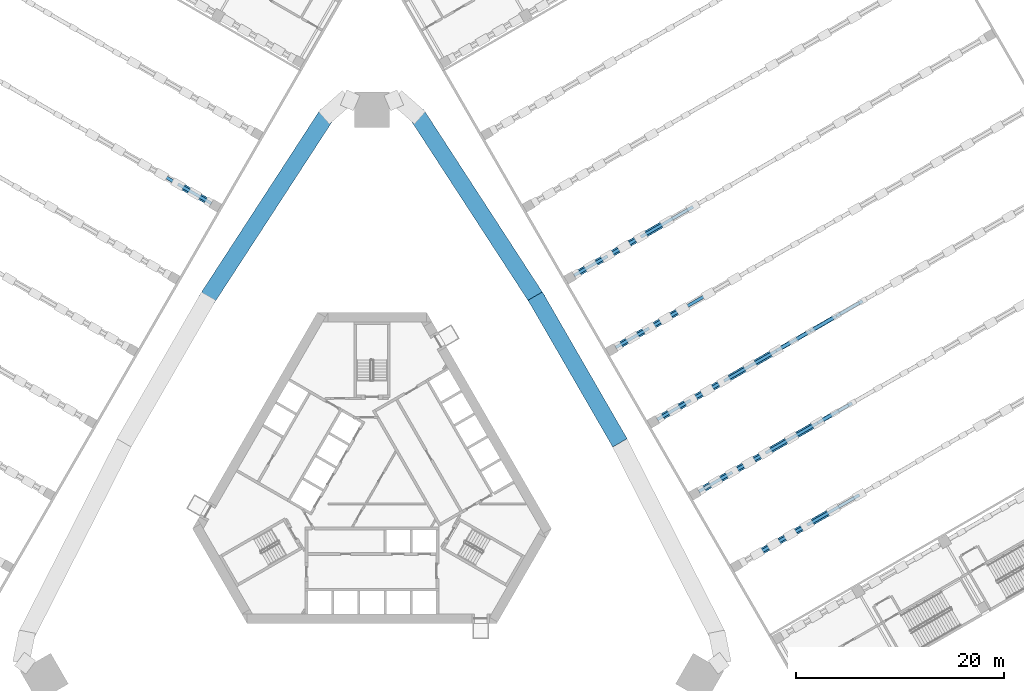
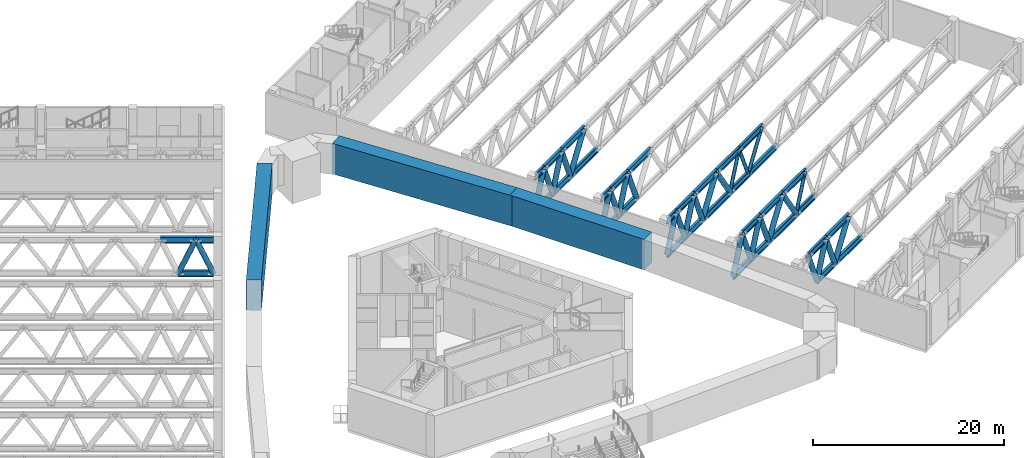
# One storey, part 5 of 37: 66 members, 3 beams.
"""IFC4 building model written with IfcOpenShell, lengths in metres."""

from ifc_helpers import new_model, si_unit, direction, frame, origin, origin_2d, place, context, subcontext, project, spatial, rectangle, hollow_circle, i_section, extrude, material, material_profile, profile_set, type_object, element, save


model = new_model("IFC4")

# Units and contexts
model_context = context("Model", 3, precision=1e-05, world=origin(), true_north=direction((0.0, 1.0)))
body_context = subcontext(model_context, "Body", "Model", "MODEL_VIEW")
ifc_project = project(units=[si_unit("LENGTHUNIT", "METRE"), si_unit("AREAUNIT", "SQUARE_METRE"), si_unit("VOLUMEUNIT", "CUBIC_METRE"), si_unit("PLANEANGLEUNIT", "RADIAN"), si_unit("MASSUNIT", "GRAM", prefix="KILO")], contexts=[model_context])

# Site, building, storey
site_placement = place(None, origin())
site = spatial("IfcSite", under=ifc_project, at=site_placement, CompositionType="ELEMENT")
building_placement = place(site_placement, origin())
building = spatial("IfcBuilding", under=site, at=building_placement, Name="Mestral Congress Tower", CompositionType="ELEMENT")
storey_placement = place(building_placement, frame((0.0, 0.0, 16.199951171875)))
storey = spatial("IfcBuildingStorey", under=building, at=storey_placement, Name="L03", CompositionType="ELEMENT", Elevation=16.199951171875)

# Beams
ifc_material_1 = material(Name="Concrete C70/85", Category="concrete")
ifc_material_profile_1 = material_profile(ifc_material_1, rectangle(XDim=1.60009765625, YDim=3.89990234375, at=origin_2d()), Name="RC 1600x3900")
ifc_profile_set_1 = profile_set([ifc_material_profile_1], Name="Concrete C70/85")
beam_type = type_object("IfcBeamType", Name="Transfer girder RC 1600x3900 C70/85", PredefinedType="BEAM", material=ifc_profile_set_1)
beam_placement = place(storey_placement, frame((23.852783203125, 4.361328125, 3.449951171875), z_axis=(-0.499987831329, 0.866032429256, 0.0), x_axis=(-0.866032429256, -0.499987831329, 0.0)))
element("IfcBeam", 1, at=beam_placement, inside=storey, type_object=beam_type, Name="BM-TG05", PredefinedType="BEAM", context=body_context, shape_type="SweptSolid", body=[
    extrude(rectangle(XDim=1.60009765625, YDim=3.89990234375, at=origin_2d()), origin(), (0.0, 0.0, 1.0), 16.298828125),
])
for number, where, z_axis, x_axis, name in (
    (2, (15.96484375, 18.05029296875, 3.449951171875), (-0.545174428031, 0.838322636591, 0.0), (-0.838322636591, -0.545174428031, 0.0), "BM-TG06"),
    (3, (-4.2998046875, 35.98779296875, 3.449951171875), (-0.545174428031, -0.838322636591, 0.0), (0.838322636591, -0.545174428031, 0.0), "BM-TG07"),
):
    element("IfcBeam", number, at=place(storey_placement, frame(where, z_axis=z_axis, x_axis=x_axis)), inside=storey, type_object=beam_type, Name=name, PredefinedType="BEAM", context=body_context, shape_type="SweptSolid", body=[
        extrude(rectangle(XDim=1.60009765625, YDim=3.89990234375, at=origin_2d()), origin(), (0.0, 0.0, 1.0), 21.39697265625),
    ])

# Members
ifc_material_2 = material(Name="Steel S355", Category="steel")
ifc_material_profile_2 = material_profile(ifc_material_2, i_section(OverallWidth=0.300048828125, OverallDepth=0.800048828125, WebThickness=0.017578125, FlangeThickness=0.032958984375, FilletRadius=0.030029296875, at=origin_2d()), Name="HEB 800")
ifc_profile_set_2 = profile_set([ifc_material_profile_2], Name="Steel S355")
member_type_1 = type_object("IfcMemberType", Name="Truss chord HEB 800 S355", PredefinedType="CHORD", material=ifc_profile_set_2)
member_1_placement = place(storey_placement, frame((38.654541015625, -5.3955078125, 0.400146484375), z_axis=(0.866046040199, 0.499964254978, 0.0), x_axis=(-0.499964254978, 0.866046040199, 0.0)))
element("IfcMember", 4, at=member_1_placement, inside=storey, type_object=member_type_1, Name="MB-E-T2-BC02", PredefinedType="CHORD", context=body_context, shape_type="SweptSolid", body=[
    extrude(i_section(OverallWidth=0.300048828125, OverallDepth=0.800048828125, WebThickness=0.017578125, FlangeThickness=0.032958984375, FilletRadius=0.030029296875, at=origin_2d()), origin(), (0.0, 0.0, 1.0), 3.699951171875),
])
member_2_placement = place(storey_placement, frame((41.85888671875, -3.545654296875, 0.400146484375), z_axis=(0.86601454848, 0.500018801468, 0.0), x_axis=(-0.500018801468, 0.86601454848, 0.0)))
element("IfcMember", 5, at=member_2_placement, inside=storey, type_object=member_type_1, Name="MB-E-T2-BC03", PredefinedType="CHORD", context=body_context, shape_type="SweptSolid", body=[
    extrude(i_section(OverallWidth=0.300048828125, OverallDepth=0.800048828125, WebThickness=0.017578125, FlangeThickness=0.032958984375, FilletRadius=0.030029296875, at=origin_2d()), origin(), (0.0, 0.0, 1.0), 5.800048828125),
])
member_3_placement = place(storey_placement, frame((37.052490234375, -6.320556640625, 4.699951171875), z_axis=(0.866029545028, 0.499992827086, 0.0), x_axis=(-0.499992827086, 0.866029545028, 0.0)))
element("IfcMember", 6, at=member_3_placement, inside=storey, type_object=member_type_1, Name="MB-E-T2-TC02", PredefinedType="CHORD", context=body_context, shape_type="SweptSolid", body=[
    extrude(i_section(OverallWidth=0.300048828125, OverallDepth=0.800048828125, WebThickness=0.017578125, FlangeThickness=0.032958984375, FilletRadius=0.030029296875, at=origin_2d()), origin(), (0.0, 0.0, 1.0), 3.69970703125),
])
member_4_placement = place(storey_placement, frame((40.256591796875, -4.470703125, 4.699951171875), z_axis=(0.866033238375, 0.499986429846, 0.0), x_axis=(-0.499986429846, 0.866033238375, 0.0)))
element("IfcMember", 7, at=member_4_placement, inside=storey, type_object=member_type_1, Name="MB-E-T2-TC03", PredefinedType="CHORD", context=body_context, shape_type="SweptSolid", body=[
    extrude(i_section(OverallWidth=0.300048828125, OverallDepth=0.800048828125, WebThickness=0.017578125, FlangeThickness=0.032958984375, FilletRadius=0.030029296875, at=origin_2d()), origin(), (0.0, 0.0, 1.0), 4.750244140625),
])
member_5_placement = place(storey_placement, frame((31.4501953125, -0.3173828125, 0.400146484375), z_axis=(0.86601746898, 0.500013743233, 0.0), x_axis=(-0.500013743233, 0.86601746898, 0.0)))
element("IfcMember", 8, at=member_5_placement, inside=storey, type_object=member_type_1, Name="MB-E-T3-BC01", PredefinedType="CHORD", context=body_context, shape_type="SweptSolid", body=[
    extrude(i_section(OverallWidth=0.300048828125, OverallDepth=0.800048828125, WebThickness=0.017578125, FlangeThickness=0.032958984375, FilletRadius=0.030029296875, at=origin_2d()), origin(), (0.0, 0.0, 1.0), 3.7001953125),
])
member_6_placement = place(storey_placement, frame((34.654541015625, 1.53271484375, 0.400146484375), z_axis=(0.866046040199, 0.499964254978, 0.0), x_axis=(-0.499964254978, 0.866046040199, 0.0)))
element("IfcMember", 9, at=member_6_placement, inside=storey, type_object=member_type_1, Name="MB-E-T3-BC02", PredefinedType="CHORD", context=body_context, shape_type="SweptSolid", body=[
    extrude(i_section(OverallWidth=0.300048828125, OverallDepth=0.800048828125, WebThickness=0.017578125, FlangeThickness=0.032958984375, FilletRadius=0.030029296875, at=origin_2d()), origin(), (0.0, 0.0, 1.0), 3.699951171875),
])
member_7_placement = place(storey_placement, frame((37.85888671875, 3.382568359375, 0.400146484375), z_axis=(0.86601454848, 0.500018801468, 0.0), x_axis=(-0.500018801468, 0.86601454848, 0.0)))
element("IfcMember", 10, at=member_7_placement, inside=storey, type_object=member_type_1, Name="MB-E-T3-BC03", PredefinedType="CHORD", context=body_context, shape_type="SweptSolid", body=[
    extrude(i_section(OverallWidth=0.300048828125, OverallDepth=0.800048828125, WebThickness=0.017578125, FlangeThickness=0.032958984375, FilletRadius=0.030029296875, at=origin_2d()), origin(), (0.0, 0.0, 1.0), 5.800048828125),
])
member_8_placement = place(storey_placement, frame((42.8818359375, 6.28271484375, 0.400146484375), z_axis=(0.866028304915, 0.499994975061, 0.0), x_axis=(-0.499994975061, 0.866028304915, 0.0)))
element("IfcMember", 11, at=member_8_placement, inside=storey, type_object=member_type_1, Name="MB-E-T3-BC04", PredefinedType="CHORD", context=body_context, shape_type="SweptSolid", body=[
    extrude(i_section(OverallWidth=0.300048828125, OverallDepth=0.800048828125, WebThickness=0.017578125, FlangeThickness=0.032958984375, FilletRadius=0.030029296875, at=origin_2d()), origin(), (0.0, 0.0, 1.0), 3.7998046875),
])
member_9_placement = place(storey_placement, frame((33.052490234375, 0.607666015625, 4.699951171875), z_axis=(0.866029545028, 0.499992827086, 0.0), x_axis=(-0.499992827086, 0.866029545028, 0.0)))
element("IfcMember", 12, at=member_9_placement, inside=storey, type_object=member_type_1, Name="MB-E-T3-TC02", PredefinedType="CHORD", context=body_context, shape_type="SweptSolid", body=[
    extrude(i_section(OverallWidth=0.300048828125, OverallDepth=0.800048828125, WebThickness=0.017578125, FlangeThickness=0.032958984375, FilletRadius=0.030029296875, at=origin_2d()), origin(), (0.0, 0.0, 1.0), 3.69970703125),
])
member_10_placement = place(storey_placement, frame((36.256591796875, 2.45751953125, 4.699951171875), z_axis=(0.866033238375, 0.499986429846, 0.0), x_axis=(-0.499986429846, 0.866033238375, 0.0)))
element("IfcMember", 13, at=member_10_placement, inside=storey, type_object=member_type_1, Name="MB-E-T3-TC03", PredefinedType="CHORD", context=body_context, shape_type="SweptSolid", body=[
    extrude(i_section(OverallWidth=0.300048828125, OverallDepth=0.800048828125, WebThickness=0.017578125, FlangeThickness=0.032958984375, FilletRadius=0.030029296875, at=origin_2d()), origin(), (0.0, 0.0, 1.0), 4.750244140625),
])
member_11_placement = place(storey_placement, frame((40.370361328125, 4.83251953125, 4.699951171875), z_axis=(0.866002622515, 0.50003945624, 0.0), x_axis=(-0.50003945624, 0.866002622515, 0.0)))
element("IfcMember", 14, at=member_11_placement, inside=storey, type_object=member_type_1, Name="MB-E-T3-TC04", PredefinedType="CHORD", context=body_context, shape_type="SweptSolid", body=[
    extrude(i_section(OverallWidth=0.300048828125, OverallDepth=0.800048828125, WebThickness=0.017578125, FlangeThickness=0.032958984375, FilletRadius=0.030029296875, at=origin_2d()), origin(), (0.0, 0.0, 1.0), 4.7998046875),
])
member_12_placement = place(storey_placement, frame((27.4501953125, 6.61083984375, 0.400146484375), z_axis=(0.866046040199, 0.499964254978, 0.0), x_axis=(-0.499964254978, 0.866046040199, 0.0)))
element("IfcMember", 15, at=member_12_placement, inside=storey, type_object=member_type_1, Name="MB-E-T4-BC01", PredefinedType="CHORD", context=body_context, shape_type="SweptSolid", body=[
    extrude(i_section(OverallWidth=0.300048828125, OverallDepth=0.800048828125, WebThickness=0.017578125, FlangeThickness=0.032958984375, FilletRadius=0.030029296875, at=origin_2d()), origin(), (0.0, 0.0, 1.0), 3.699951171875),
])
member_13_placement = place(storey_placement, frame((30.654541015625, 8.460693359375, 0.400146484375), z_axis=(0.86601746898, 0.500013743233, 0.0), x_axis=(-0.500013743233, 0.86601746898, 0.0)))
element("IfcMember", 16, at=member_13_placement, inside=storey, type_object=member_type_1, Name="MB-E-T4-BC02", PredefinedType="CHORD", context=body_context, shape_type="SweptSolid", body=[
    extrude(i_section(OverallWidth=0.300048828125, OverallDepth=0.800048828125, WebThickness=0.017578125, FlangeThickness=0.032958984375, FilletRadius=0.030029296875, at=origin_2d()), origin(), (0.0, 0.0, 1.0), 3.7001953125),
])
member_14_placement = place(storey_placement, frame((33.85888671875, 10.310791015625, 0.400146484375), z_axis=(0.866032775405, 0.499987231761, 0.0), x_axis=(-0.499987231761, 0.866032775405, 0.0)))
element("IfcMember", 17, at=member_14_placement, inside=storey, type_object=member_type_1, Name="MB-E-T4-BC03", PredefinedType="CHORD", context=body_context, shape_type="SweptSolid", body=[
    extrude(i_section(OverallWidth=0.300048828125, OverallDepth=0.800048828125, WebThickness=0.017578125, FlangeThickness=0.032958984375, FilletRadius=0.030029296875, at=origin_2d()), origin(), (0.0, 0.0, 1.0), 5.800048828125),
])
member_15_placement = place(storey_placement, frame((38.8818359375, 13.210693359375, 0.400146484375), z_axis=(0.866000483506, 0.500043160704, 0.0), x_axis=(-0.500043160704, 0.866000483506, 0.0)))
element("IfcMember", 18, at=member_15_placement, inside=storey, type_object=member_type_1, Name="MB-E-T4-BC04", PredefinedType="CHORD", context=body_context, shape_type="SweptSolid", body=[
    extrude(i_section(OverallWidth=0.300048828125, OverallDepth=0.800048828125, WebThickness=0.017578125, FlangeThickness=0.032958984375, FilletRadius=0.030029296875, at=origin_2d()), origin(), (0.0, 0.0, 1.0), 3.800048828125),
])
member_16_placement = place(storey_placement, frame((42.172607421875, 15.11083984375, 0.400146484375), z_axis=(0.866032775405, 0.499987231761, 0.0), x_axis=(-0.499987231761, 0.866032775405, 0.0)))
element("IfcMember", 19, at=member_16_placement, inside=storey, type_object=member_type_1, Name="MB-E-T4-BC05", PredefinedType="CHORD", context=body_context, shape_type="SweptSolid", body=[
    extrude(i_section(OverallWidth=0.300048828125, OverallDepth=0.800048828125, WebThickness=0.017578125, FlangeThickness=0.032958984375, FilletRadius=0.030029296875, at=origin_2d()), origin(), (0.0, 0.0, 1.0), 5.800048828125),
])
member_17_placement = place(storey_placement, frame((27.4501953125, 6.61083984375, 4.699951171875), z_axis=(0.866033964044, 0.499985172903, 0.0), x_axis=(-0.499985172903, 0.866033964044, 0.0)))
element("IfcMember", 20, at=member_17_placement, inside=storey, type_object=member_type_1, Name="MB-E-T4-TC01", PredefinedType="CHORD", context=body_context, shape_type="SweptSolid", body=[
    extrude(i_section(OverallWidth=0.300048828125, OverallDepth=0.800048828125, WebThickness=0.017578125, FlangeThickness=0.032958984375, FilletRadius=0.030029296875, at=origin_2d()), origin(), (0.0, 0.0, 1.0), 1.85009765625),
])
member_18_placement = place(storey_placement, frame((29.052490234375, 7.535888671875, 4.699951171875), z_axis=(0.866029545028, 0.499992827086, 0.0), x_axis=(-0.499992827086, 0.866029545028, 0.0)))
element("IfcMember", 21, at=member_18_placement, inside=storey, type_object=member_type_1, Name="MB-E-T4-TC02", PredefinedType="CHORD", context=body_context, shape_type="SweptSolid", body=[
    extrude(i_section(OverallWidth=0.300048828125, OverallDepth=0.800048828125, WebThickness=0.017578125, FlangeThickness=0.032958984375, FilletRadius=0.030029296875, at=origin_2d()), origin(), (0.0, 0.0, 1.0), 3.69970703125),
])
member_19_placement = place(storey_placement, frame((32.256591796875, 9.3857421875, 4.699951171875), z_axis=(0.866033238375, 0.499986429846, 0.0), x_axis=(-0.499986429846, 0.866033238375, 0.0)))
element("IfcMember", 22, at=member_19_placement, inside=storey, type_object=member_type_1, Name="MB-E-T4-TC03", PredefinedType="CHORD", context=body_context, shape_type="SweptSolid", body=[
    extrude(i_section(OverallWidth=0.300048828125, OverallDepth=0.800048828125, WebThickness=0.017578125, FlangeThickness=0.032958984375, FilletRadius=0.030029296875, at=origin_2d()), origin(), (0.0, 0.0, 1.0), 4.750244140625),
])
member_20_placement = place(storey_placement, frame((36.370361328125, 11.7607421875, 4.699951171875), z_axis=(0.866002622515, 0.50003945624, 0.0), x_axis=(-0.50003945624, 0.866002622515, 0.0)))
element("IfcMember", 23, at=member_20_placement, inside=storey, type_object=member_type_1, Name="MB-E-T4-TC04", PredefinedType="CHORD", context=body_context, shape_type="SweptSolid", body=[
    extrude(i_section(OverallWidth=0.300048828125, OverallDepth=0.800048828125, WebThickness=0.017578125, FlangeThickness=0.032958984375, FilletRadius=0.030029296875, at=origin_2d()), origin(), (0.0, 0.0, 1.0), 4.7998046875),
])
member_21_placement = place(storey_placement, frame((40.527099609375, 14.160888671875, 4.699951171875), z_axis=(0.866037363387, 0.499979284789, 0.0), x_axis=(-0.499979284789, 0.866037363387, 0.0)))
element("IfcMember", 24, at=member_21_placement, inside=storey, type_object=member_type_1, Name="MB-E-T4-TC05", PredefinedType="CHORD", context=body_context, shape_type="SweptSolid", body=[
    extrude(i_section(OverallWidth=0.300048828125, OverallDepth=0.800048828125, WebThickness=0.017578125, FlangeThickness=0.032958984375, FilletRadius=0.030029296875, at=origin_2d()), origin(), (0.0, 0.0, 1.0), 4.800048828125),
])
member_22_placement = place(storey_placement, frame((23.4501953125, 13.5390625, 0.400146484375), z_axis=(0.866046040199, 0.499964254978, 0.0), x_axis=(-0.499964254978, 0.866046040199, 0.0)))
element("IfcMember", 25, at=member_22_placement, inside=storey, type_object=member_type_1, Name="MB-E-T5-BC01", PredefinedType="CHORD", context=body_context, shape_type="SweptSolid", body=[
    extrude(i_section(OverallWidth=0.300048828125, OverallDepth=0.800048828125, WebThickness=0.017578125, FlangeThickness=0.032958984375, FilletRadius=0.030029296875, at=origin_2d()), origin(), (0.0, 0.0, 1.0), 3.699951171875),
])
member_23_placement = place(storey_placement, frame((26.654541015625, 15.388916015625, 0.400146484375), z_axis=(0.86601746898, 0.500013743233, 0.0), x_axis=(-0.500013743233, 0.86601746898, 0.0)))
element("IfcMember", 26, at=member_23_placement, inside=storey, type_object=member_type_1, Name="MB-E-T5-BC02", PredefinedType="CHORD", context=body_context, shape_type="SweptSolid", body=[
    extrude(i_section(OverallWidth=0.300048828125, OverallDepth=0.800048828125, WebThickness=0.017578125, FlangeThickness=0.032958984375, FilletRadius=0.030029296875, at=origin_2d()), origin(), (0.0, 0.0, 1.0), 3.7001953125),
])
member_24_placement = place(storey_placement, frame((23.4501953125, 13.5390625, 4.699951171875), z_axis=(0.866033964044, 0.499985172903, 0.0), x_axis=(-0.499985172903, 0.866033964044, 0.0)))
element("IfcMember", 27, at=member_24_placement, inside=storey, type_object=member_type_1, Name="MB-E-T5-TC01", PredefinedType="CHORD", context=body_context, shape_type="SweptSolid", body=[
    extrude(i_section(OverallWidth=0.300048828125, OverallDepth=0.800048828125, WebThickness=0.017578125, FlangeThickness=0.032958984375, FilletRadius=0.030029296875, at=origin_2d()), origin(), (0.0, 0.0, 1.0), 1.85009765625),
])
member_25_placement = place(storey_placement, frame((25.052490234375, 14.464111328125, 4.699951171875), z_axis=(0.866029545028, 0.499992827086, 0.0), x_axis=(-0.499992827086, 0.866029545028, 0.0)))
element("IfcMember", 28, at=member_25_placement, inside=storey, type_object=member_type_1, Name="MB-E-T5-TC02", PredefinedType="CHORD", context=body_context, shape_type="SweptSolid", body=[
    extrude(i_section(OverallWidth=0.300048828125, OverallDepth=0.800048828125, WebThickness=0.017578125, FlangeThickness=0.032958984375, FilletRadius=0.030029296875, at=origin_2d()), origin(), (0.0, 0.0, 1.0), 3.69970703125),
])
member_26_placement = place(storey_placement, frame((28.256591796875, 16.31396484375, 4.699951171875), z_axis=(0.866033238375, 0.499986429846, 0.0), x_axis=(-0.499986429846, 0.866033238375, 0.0)))
element("IfcMember", 29, at=member_26_placement, inside=storey, type_object=member_type_1, Name="MB-E-T5-TC03", PredefinedType="CHORD", context=body_context, shape_type="SweptSolid", body=[
    extrude(i_section(OverallWidth=0.300048828125, OverallDepth=0.800048828125, WebThickness=0.017578125, FlangeThickness=0.032958984375, FilletRadius=0.030029296875, at=origin_2d()), origin(), (0.0, 0.0, 1.0), 4.750244140625),
])
member_27_placement = place(storey_placement, frame((19.4501953125, 20.46728515625, 0.400146484375), z_axis=(0.866046040199, 0.499964254978, 0.0), x_axis=(-0.499964254978, 0.866046040199, 0.0)))
element("IfcMember", 30, at=member_27_placement, inside=storey, type_object=member_type_1, Name="MB-E-T6-BC01", PredefinedType="CHORD", context=body_context, shape_type="SweptSolid", body=[
    extrude(i_section(OverallWidth=0.300048828125, OverallDepth=0.800048828125, WebThickness=0.017578125, FlangeThickness=0.032958984375, FilletRadius=0.030029296875, at=origin_2d()), origin(), (0.0, 0.0, 1.0), 3.699951171875),
])
member_28_placement = place(storey_placement, frame((22.654541015625, 22.317138671875, 0.400146484375), z_axis=(0.86601746898, 0.500013743233, 0.0), x_axis=(-0.500013743233, 0.86601746898, 0.0)))
element("IfcMember", 31, at=member_28_placement, inside=storey, type_object=member_type_1, Name="MB-E-T6-BC02", PredefinedType="CHORD", context=body_context, shape_type="SweptSolid", body=[
    extrude(i_section(OverallWidth=0.300048828125, OverallDepth=0.800048828125, WebThickness=0.017578125, FlangeThickness=0.032958984375, FilletRadius=0.030029296875, at=origin_2d()), origin(), (0.0, 0.0, 1.0), 3.7001953125),
])
member_29_placement = place(storey_placement, frame((25.85888671875, 24.167236328125, 0.400146484375), z_axis=(0.866032775405, 0.499987231761, 0.0), x_axis=(-0.499987231761, 0.866032775405, 0.0)))
element("IfcMember", 32, at=member_29_placement, inside=storey, type_object=member_type_1, Name="MB-E-T6-BC03", PredefinedType="CHORD", context=body_context, shape_type="SweptSolid", body=[
    extrude(i_section(OverallWidth=0.300048828125, OverallDepth=0.800048828125, WebThickness=0.017578125, FlangeThickness=0.032958984375, FilletRadius=0.030029296875, at=origin_2d()), origin(), (0.0, 0.0, 1.0), 5.800048828125),
])
member_30_placement = place(storey_placement, frame((19.4501953125, 20.46728515625, 4.699951171875), z_axis=(0.866091100096, 0.499886193382, 0.0), x_axis=(-0.499886193382, 0.866091100096, 0.0)))
element("IfcMember", 33, at=member_30_placement, inside=storey, type_object=member_type_1, Name="MB-E-T6-TC01", PredefinedType="CHORD", context=body_context, shape_type="SweptSolid", body=[
    extrude(i_section(OverallWidth=0.300048828125, OverallDepth=0.800048828125, WebThickness=0.017578125, FlangeThickness=0.032958984375, FilletRadius=0.030029296875, at=origin_2d()), origin(), (0.0, 0.0, 1.0), 1.85009765625),
])
member_31_placement = place(storey_placement, frame((21.052490234375, 21.39208984375, 4.699951171875), z_axis=(0.866000971088, 0.500042316284, 0.0), x_axis=(-0.500042316284, 0.866000971088, 0.0)))
element("IfcMember", 34, at=member_31_placement, inside=storey, type_object=member_type_1, Name="MB-E-T6-TC02", PredefinedType="CHORD", context=body_context, shape_type="SweptSolid", body=[
    extrude(i_section(OverallWidth=0.300048828125, OverallDepth=0.800048828125, WebThickness=0.017578125, FlangeThickness=0.032958984375, FilletRadius=0.030029296875, at=origin_2d()), origin(), (0.0, 0.0, 1.0), 3.699951171875),
])
member_32_placement = place(storey_placement, frame((24.256591796875, 23.2421875, 4.699951171875), z_axis=(0.866033238375, 0.499986429846, 0.0), x_axis=(-0.499986429846, 0.866033238375, 0.0)))
element("IfcMember", 35, at=member_32_placement, inside=storey, type_object=member_type_1, Name="MB-E-T6-TC03", PredefinedType="CHORD", context=body_context, shape_type="SweptSolid", body=[
    extrude(i_section(OverallWidth=0.300048828125, OverallDepth=0.800048828125, WebThickness=0.017578125, FlangeThickness=0.032958984375, FilletRadius=0.030029296875, at=origin_2d()), origin(), (0.0, 0.0, 1.0), 4.750244140625),
])
member_33_placement = place(storey_placement, frame((-15.4501953125, 27.3955078125, 0.400146484375), z_axis=(-0.866046040199, 0.499964254978, 0.0), x_axis=(-0.499964254978, -0.866046040199, 0.0)))
element("IfcMember", 36, at=member_33_placement, inside=storey, type_object=member_type_1, Name="MB-W-T3-BC01", PredefinedType="CHORD", context=body_context, shape_type="SweptSolid", body=[
    extrude(i_section(OverallWidth=0.300048828125, OverallDepth=0.800048828125, WebThickness=0.017578125, FlangeThickness=0.032958984375, FilletRadius=0.030029296875, at=origin_2d()), origin(), (0.0, 0.0, 1.0), 3.699951171875),
])
member_34_placement = place(storey_placement, frame((-15.4501953125, 27.3955078125, 4.699951171875), z_axis=(-0.866091100096, 0.499886193382, 0.0), x_axis=(-0.499886193382, -0.866091100096, 0.0)))
element("IfcMember", 37, at=member_34_placement, inside=storey, type_object=member_type_1, Name="MB-W-T3-TC01", PredefinedType="CHORD", context=body_context, shape_type="SweptSolid", body=[
    extrude(i_section(OverallWidth=0.300048828125, OverallDepth=0.800048828125, WebThickness=0.017578125, FlangeThickness=0.032958984375, FilletRadius=0.030029296875, at=origin_2d()), origin(), (0.0, 0.0, 1.0), 1.85009765625),
])
member_35_placement = place(storey_placement, frame((-17.052490234375, 28.3203125, 4.699951171875), z_axis=(-0.866000971088, 0.500042316284, 0.0), x_axis=(-0.500042316284, -0.866000971088, 0.0)))
element("IfcMember", 38, at=member_35_placement, inside=storey, type_object=member_type_1, Name="MB-W-T3-TC02", PredefinedType="CHORD", context=body_context, shape_type="SweptSolid", body=[
    extrude(i_section(OverallWidth=0.300048828125, OverallDepth=0.800048828125, WebThickness=0.017578125, FlangeThickness=0.032958984375, FilletRadius=0.030029296875, at=origin_2d()), origin(), (0.0, 0.0, 1.0), 3.699951171875),
])
ifc_material_profile_3 = material_profile(ifc_material_2, hollow_circle(Radius=0.203125, WallThickness=0.01611328125, at=origin_2d()), Name="CHS 406.4x16")
ifc_profile_set_3 = profile_set([ifc_material_profile_3], Name="Steel S355")
member_type_2 = type_object("IfcMemberType", Name="Truss diagonal CHS 406.4x16 S355", PredefinedType="BRACE", material=ifc_profile_set_3)
for number, where, z_axis, x_axis, name in (
    (39, (42.8818359375, 6.28271484375, 0.400146484375), (0.349995738631, 0.20208241861, 0.914694309061), (-0.500022797313, 0.86601224135, 0.0), "MB-E-T3-D07"),
    (40, (38.8818359375, 13.210693359375, 0.400146484375), (0.349992064898, 0.202132232762, 0.914684707966), (-0.500119165741, 0.865956592479, 0.0), "MB-E-T4-D07"),
    (41, (40.527099609375, 14.160888671875, 4.699951171875), (0.350041311257, 0.202078745119, -0.914677681582), (-0.499967155389, 0.866044365799, 0.0), "MB-E-T4-D08"),
):
    element("IfcMember", number, at=place(storey_placement, frame(where, z_axis=z_axis, x_axis=x_axis)), inside=storey, type_object=member_type_2, Name=name, PredefinedType="BRACE", context=body_context, shape_type="SweptSolid", body=[
        extrude(hollow_circle(Radius=0.203125, WallThickness=0.01611328125, at=origin_2d()), origin(), (0.0, 0.0, 1.0), 4.700927734375),
    ])
member_36_placement = place(storey_placement, frame((42.172607421875, 15.11083984375, 0.400146484375), z_axis=(0.484247420666, 0.279570859467, 0.829062464544), x_axis=(-0.499987231761, 0.866032775405, 0.0)))
element("IfcMember", 42, at=member_36_placement, inside=storey, type_object=member_type_2, Name="MB-E-T4-D09", PredefinedType="BRACE", context=body_context, shape_type="SweptSolid", body=[
    extrude(hollow_circle(Radius=0.203125, WallThickness=0.01611328125, at=origin_2d()), origin(), (0.0, 0.0, 1.0), 5.186279296875),
])
ifc_material_profile_4 = material_profile(ifc_material_2, hollow_circle(Radius=0.304931640625, WallThickness=0.02490234375, at=origin_2d()), Name="CHS 610x25")
ifc_profile_set_4 = profile_set([ifc_material_profile_4], Name="Steel S355")
member_type_3 = type_object("IfcMemberType", Name="Truss diagonal CHS 610x25 S355", PredefinedType="BRACE", material=ifc_profile_set_4)
for number, where, z_axis, x_axis, name in (
    (43, (37.052490234375, -6.320556640625, 4.699951171875), (0.342254462306, 0.197623004828, -0.91858969676), (-0.500042316284, 0.866000971088, 0.0), "MB-E-T2-D02"),
    (44, (38.654541015625, -5.3955078125, 0.400146484375), (0.342257989659, 0.197572884003, 0.918599163956), (-0.49994333299, 0.866058118026, 0.0), "MB-E-T2-D03"),
    (45, (40.256591796875, -4.470703125, 4.699951171875), (0.342300508531, 0.197619476889, -0.918573298226), (-0.499985172903, 0.866033964044, 0.0), "MB-E-T2-D04"),
):
    element("IfcMember", number, at=place(storey_placement, frame(where, z_axis=z_axis, x_axis=x_axis)), inside=storey, type_object=member_type_3, Name=name, PredefinedType="BRACE", context=body_context, shape_type="SweptSolid", body=[
        extrude(hollow_circle(Radius=0.304931640625, WallThickness=0.02490234375, at=origin_2d()), origin(), (0.0, 0.0, 1.0), 4.680908203125),
    ])
member_37_placement = place(storey_placement, frame((41.85888671875, -3.545654296875, 0.400146484375), z_axis=(0.484247420666, 0.279570859467, 0.829062464544), x_axis=(-0.499987231761, 0.866032775405, 0.0)))
element("IfcMember", 46, at=member_37_placement, inside=storey, type_object=member_type_3, Name="MB-E-T2-D05", PredefinedType="BRACE", context=body_context, shape_type="SweptSolid", body=[
    extrude(hollow_circle(Radius=0.304931640625, WallThickness=0.02490234375, at=origin_2d()), origin(), (0.0, 0.0, 1.0), 5.186279296875),
])
for number, where, z_axis, x_axis, name in (
    (47, (31.4501953125, -0.3173828125, 0.400146484375), (0.342300508531, 0.197619476889, 0.918573298226), (-0.499985172903, 0.866033964044, 0.0), "MB-E-T3-D01"),
    (48, (33.052490234375, 0.607666015625, 4.699951171875), (0.342254462306, 0.197623004828, -0.91858969676), (-0.500042316284, 0.866000971088, 0.0), "MB-E-T3-D02"),
    (49, (34.654541015625, 1.53271484375, 0.400146484375), (0.342257989659, 0.197572884003, 0.918599163956), (-0.49994333299, 0.866058118026, 0.0), "MB-E-T3-D03"),
    (50, (36.256591796875, 2.45751953125, 4.699951171875), (0.342300508531, 0.197619476889, -0.918573298226), (-0.499985172903, 0.866033964044, 0.0), "MB-E-T3-D04"),
):
    element("IfcMember", number, at=place(storey_placement, frame(where, z_axis=z_axis, x_axis=x_axis)), inside=storey, type_object=member_type_3, Name=name, PredefinedType="BRACE", context=body_context, shape_type="SweptSolid", body=[
        extrude(hollow_circle(Radius=0.304931640625, WallThickness=0.02490234375, at=origin_2d()), origin(), (0.0, 0.0, 1.0), 4.680908203125),
    ])
member_38_placement = place(storey_placement, frame((37.85888671875, 3.382568359375, 0.400146484375), z_axis=(0.484247420666, 0.279570859467, 0.829062464544), x_axis=(-0.499987231761, 0.866032775405, 0.0)))
element("IfcMember", 51, at=member_38_placement, inside=storey, type_object=member_type_3, Name="MB-E-T3-D05", PredefinedType="BRACE", context=body_context, shape_type="SweptSolid", body=[
    extrude(hollow_circle(Radius=0.304931640625, WallThickness=0.02490234375, at=origin_2d()), origin(), (0.0, 0.0, 1.0), 5.186279296875),
])
member_39_placement = place(storey_placement, frame((40.370361328125, 4.83251953125, 4.699951171875), z_axis=(0.484241047345, 0.27961425306, -0.829051553012), x_axis=(-0.50005036918, 0.865996321171, 0.0)))
element("IfcMember", 52, at=member_39_placement, inside=storey, type_object=member_type_3, Name="MB-E-T3-D06", PredefinedType="BRACE", context=body_context, shape_type="SweptSolid", body=[
    extrude(hollow_circle(Radius=0.304931640625, WallThickness=0.02490234375, at=origin_2d()), origin(), (0.0, 0.0, 1.0), 5.1865234375),
])
for number, where, z_axis, x_axis, name in (
    (53, (27.4501953125, 6.61083984375, 0.400146484375), (0.342300508531, 0.197619476889, 0.918573298226), (-0.499985172903, 0.866033964044, 0.0), "MB-E-T4-D01"),
    (54, (29.052490234375, 7.535888671875, 4.699951171875), (0.342257989659, 0.197572884003, -0.918599163956), (-0.49994333299, 0.866058118026, 0.0), "MB-E-T4-D02"),
    (55, (30.654541015625, 8.460693359375, 0.400146484375), (0.342254462306, 0.197623004828, 0.91858969676), (-0.500042316284, 0.866000971088, 0.0), "MB-E-T4-D03"),
    (56, (32.256591796875, 9.3857421875, 4.699951171875), (0.342300508531, 0.197619476889, -0.918573298226), (-0.499985172903, 0.866033964044, 0.0), "MB-E-T4-D04"),
):
    element("IfcMember", number, at=place(storey_placement, frame(where, z_axis=z_axis, x_axis=x_axis)), inside=storey, type_object=member_type_3, Name=name, PredefinedType="BRACE", context=body_context, shape_type="SweptSolid", body=[
        extrude(hollow_circle(Radius=0.304931640625, WallThickness=0.02490234375, at=origin_2d()), origin(), (0.0, 0.0, 1.0), 4.680908203125),
    ])
for number, where, z_axis, x_axis, name in (
    (57, (33.85888671875, 10.310791015625, 0.400146484375), (0.484247420666, 0.279570859467, 0.829062464544), (-0.499987231761, 0.866032775405, 0.0), "MB-E-T4-D05"),
    (58, (36.370361328125, 11.7607421875, 4.699951171875), (0.484247420666, 0.279570859467, -0.829062464544), (-0.499987231761, 0.866032775405, 0.0), "MB-E-T4-D06"),
):
    element("IfcMember", number, at=place(storey_placement, frame(where, z_axis=z_axis, x_axis=x_axis)), inside=storey, type_object=member_type_3, Name=name, PredefinedType="BRACE", context=body_context, shape_type="SweptSolid", body=[
        extrude(hollow_circle(Radius=0.304931640625, WallThickness=0.02490234375, at=origin_2d()), origin(), (0.0, 0.0, 1.0), 5.186279296875),
    ])
for number, where, z_axis, x_axis, name in (
    (59, (23.4501953125, 13.5390625, 0.400146484375), (0.342300508531, 0.197619476889, 0.918573298226), (-0.499985172903, 0.866033964044, 0.0), "MB-E-T5-D01"),
    (60, (25.052490234375, 14.464111328125, 4.699951171875), (0.342257989659, 0.197572884003, -0.918599163956), (-0.49994333299, 0.866058118026, 0.0), "MB-E-T5-D02"),
    (61, (26.654541015625, 15.388916015625, 0.400146484375), (0.342254462306, 0.197623004828, 0.91858969676), (-0.500042316284, 0.866000971088, 0.0), "MB-E-T5-D03"),
    (62, (28.256591796875, 16.31396484375, 4.699951171875), (0.342300508531, 0.197619476889, -0.918573298226), (-0.499985172903, 0.866033964044, 0.0), "MB-E-T5-D04"),
    (63, (19.4501953125, 20.46728515625, 0.400146484375), (0.342304036233, 0.197569356887, 0.918582764914), (-0.499886193382, 0.866091100096, 0.0), "MB-E-T6-D01"),
    (64, (21.052490234375, 21.39208984375, 4.699951171875), (0.342254462306, 0.197623004828, -0.91858969676), (-0.500042316284, 0.866000971088, 0.0), "MB-E-T6-D02"),
    (65, (22.654541015625, 22.317138671875, 0.400146484375), (0.342254462306, 0.197623004828, 0.91858969676), (-0.500042316284, 0.866000971088, 0.0), "MB-E-T6-D03"),
    (66, (24.256591796875, 23.2421875, 4.699951171875), (0.342300508531, 0.197619476889, -0.918573298226), (-0.499985172903, 0.866033964044, 0.0), "MB-E-T6-D04"),
):
    element("IfcMember", number, at=place(storey_placement, frame(where, z_axis=z_axis, x_axis=x_axis)), inside=storey, type_object=member_type_3, Name=name, PredefinedType="BRACE", context=body_context, shape_type="SweptSolid", body=[
        extrude(hollow_circle(Radius=0.304931640625, WallThickness=0.02490234375, at=origin_2d()), origin(), (0.0, 0.0, 1.0), 4.680908203125),
    ])
member_40_placement = place(storey_placement, frame((25.85888671875, 24.167236328125, 0.400146484375), z_axis=(0.484247420666, 0.279570859467, 0.829062464544), x_axis=(-0.499987231761, 0.866032775405, 0.0)))
element("IfcMember", 67, at=member_40_placement, inside=storey, type_object=member_type_3, Name="MB-E-T6-D05", PredefinedType="BRACE", context=body_context, shape_type="SweptSolid", body=[
    extrude(hollow_circle(Radius=0.304931640625, WallThickness=0.02490234375, at=origin_2d()), origin(), (0.0, 0.0, 1.0), 5.186279296875),
])
for number, where, z_axis, x_axis, name in (
    (68, (-15.4501953125, 27.3955078125, 0.400146484375), (-0.342304036233, 0.197569356887, 0.918582764914), (-0.499886193382, -0.866091100096, 0.0), "MB-W-T3-D01"),
    (69, (-17.052490234375, 28.3203125, 4.699951171875), (-0.342254462306, 0.197623004828, -0.91858969676), (-0.500042316284, -0.866000971088, 0.0), "MB-W-T3-D02"),
):
    element("IfcMember", number, at=place(storey_placement, frame(where, z_axis=z_axis, x_axis=x_axis)), inside=storey, type_object=member_type_3, Name=name, PredefinedType="BRACE", context=body_context, shape_type="SweptSolid", body=[
        extrude(hollow_circle(Radius=0.304931640625, WallThickness=0.02490234375, at=origin_2d()), origin(), (0.0, 0.0, 1.0), 4.680908203125),
    ])

save(model, "model.ifc")
